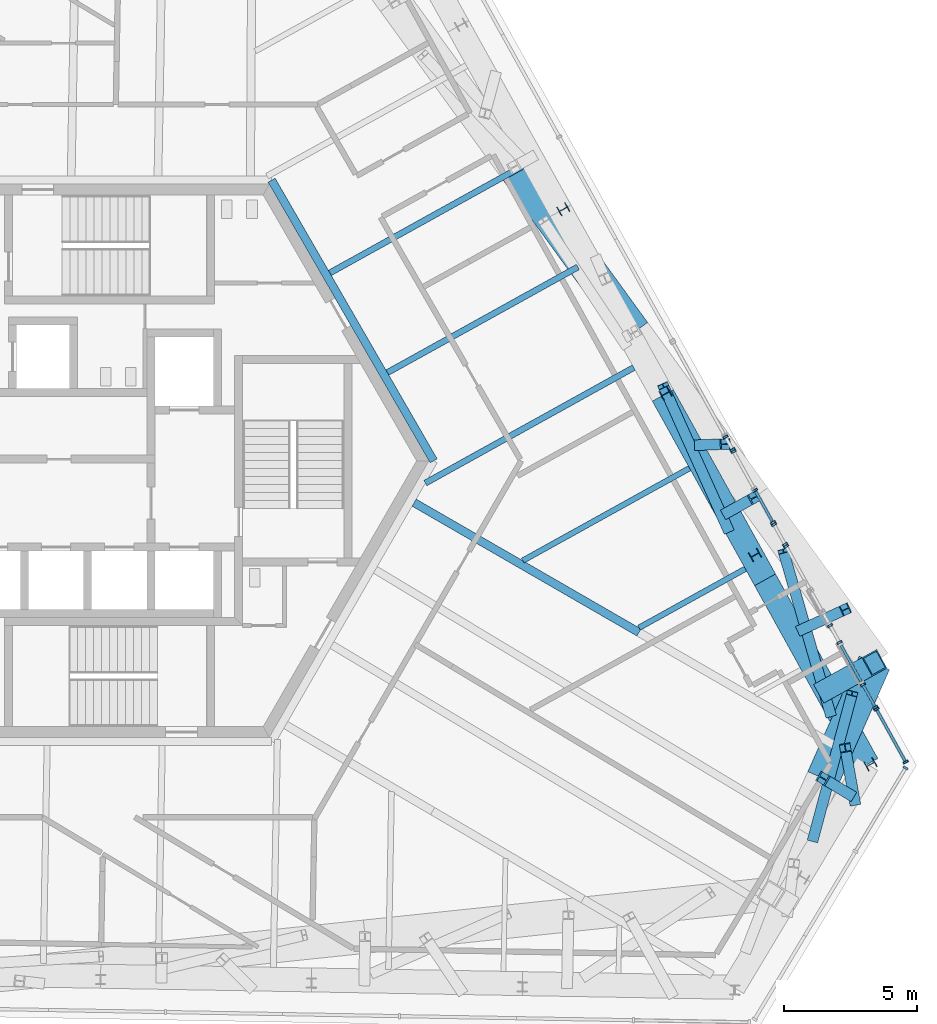
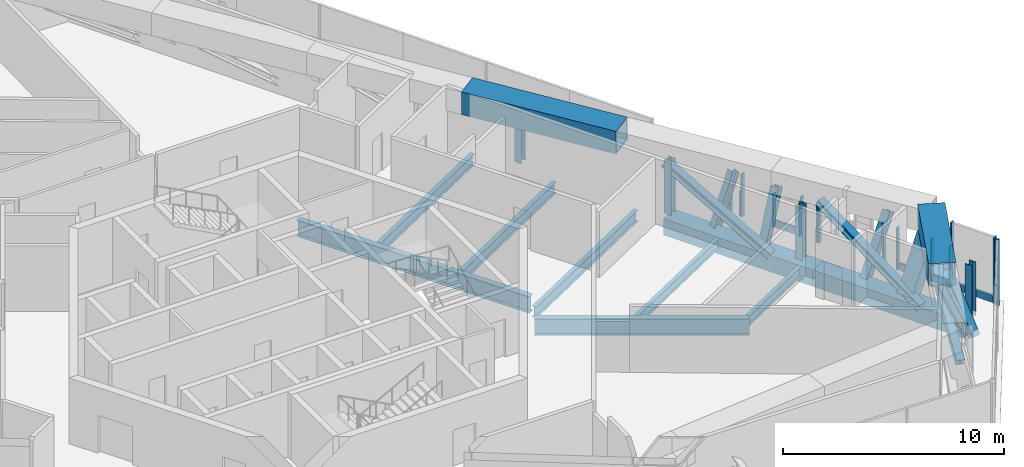
# One storey, part 5 of 28: 36 members, 7 beams, 10 elements without a shape of their own.
"""IFC4 building model written with IfcOpenShell, lengths in metres."""

from ifc_helpers import new_model, si_unit, direction, frame, origin, origin_2d, place, context, subcontext, project, spatial, rectangle, hollow_rectangle, i_section, extrude, source, transform, mapped, material, material_profile, profile_set, type_object, element, aggregate, save


model = new_model("IFC4")

# Units and contexts
model_context = context("Model", 3, precision=1e-05, world=origin(), true_north=direction((0.0, 1.0)))
body_context = subcontext(model_context, "Body", "Model", "MODEL_VIEW")
ifc_project = project(units=[si_unit("LENGTHUNIT", "METRE"), si_unit("AREAUNIT", "SQUARE_METRE"), si_unit("VOLUMEUNIT", "CUBIC_METRE"), si_unit("PLANEANGLEUNIT", "RADIAN"), si_unit("MASSUNIT", "GRAM", prefix="KILO")], contexts=[model_context])

# Site, building, storey
site_placement = place(None, origin())
site = spatial("IfcSite", under=ifc_project, at=site_placement, CompositionType="ELEMENT")
building_placement = place(site_placement, origin())
building = spatial("IfcBuilding", under=site, at=building_placement, Name="Triune Harvest Tower", CompositionType="ELEMENT")
storey_placement = place(building_placement, frame((0.0, 0.0, 215.89990234375)))
storey = spatial("IfcBuildingStorey", under=building, at=storey_placement, Name="L56", CompositionType="ELEMENT", Elevation=215.89990234375)

# Member
ifc_material_1 = material(Name="Steel ASTM A572 Gr 50", Category="steel")
ifc_material_profile_1 = material_profile(ifc_material_1, hollow_rectangle(XDim=0.89990234375, YDim=0.89990234375, WallThickness=0.050048828125, at=origin_2d()), Name="Box 900x900x50")
ifc_profile_set_1 = profile_set([ifc_material_profile_1], Name="Steel ASTM A572 Gr 50")
member_type_1 = type_object("IfcMemberType", Name="TC-2 Belt truss chord Box 900x900x50", PredefinedType="CHORD", material=ifc_profile_set_1)
member_1_placement = place(storey_placement, frame((24.632080078125, -4.473388671875, -0.699951171875), z_axis=(-0.484826855234, 0.874610153408, 0.0), x_axis=(-0.874610153408, -0.484826855234, 0.0)))
element("IfcMember", 1, at=member_1_placement, inside=storey, type_object=member_type_1, Name="truss/L56/TCB2", PredefinedType="CHORD", context=body_context, shape_type="SweptSolid", body=[
    extrude(hollow_rectangle(XDim=0.89990234375, YDim=0.89990234375, WallThickness=0.050048828125, at=origin_2d()), origin(), (0.0, 0.0, 1.0), 7.927001953125),
])

# Curtain wall, member
ifc_material_2 = material(Name="Aluminium bronze anodised", Category="aluminium")
curtain_wall_type = type_object("IfcCurtainWallType", Name="CW-5 Plant louvre wall", PredefinedType="NOTDEFINED", material=ifc_material_2)
curtain_wall_1_placement = place(storey_placement, origin())
curtain_wall_1 = element("IfcCurtainWall", 2, at=curtain_wall_1_placement, inside=storey, type_object=curtain_wall_type, Name="CW-5 B5-F1 L56 run 1")
ifc_material_3 = material(Name="Aluminium bronze anodised", Category="aluminium")
ifc_material_profile_2 = material_profile(ifc_material_3, rectangle(XDim=0.10009765625, YDim=0.39990234375, at=origin_2d()), Name="TR-5 transom 100 x 400")
ifc_profile_set_2 = profile_set([ifc_material_profile_2], Name="Aluminium bronze anodised")
member_type_2 = type_object("IfcMemberType", Name="TR-5 transom 100 x 400", PredefinedType="USERDEFINED", material=ifc_profile_set_2)
member_2_placement = place(storey_placement, frame((29.896240234375, -11.284423828125, 0.2001953125), z_axis=(-0.484855982831, 0.874594006332, 0.0), x_axis=(-0.874594006332, -0.484855982831, 0.0)))
member_2 = element("IfcMember", 3, at=member_2_placement, type_object=member_type_2, Name="CW-5 transom B5-F1 1.1", ObjectType="TRANSOM", PredefinedType="USERDEFINED", context=body_context, shape_type="SweptSolid", body=[
    extrude(rectangle(XDim=0.10009765625, YDim=0.39990234375, at=origin_2d()), origin(), (0.0, 0.0, 1.0), 2.186767578125),
])

curtain_wall_2_placement = place(storey_placement, origin())
curtain_wall_2 = element("IfcCurtainWall", 4, at=curtain_wall_2_placement, inside=storey, type_object=curtain_wall_type, Name="CW-5 B5-F1 L56 run 101")
member_3_placement = place(storey_placement, frame((28.75830078125, -9.23193359375, 0.2001953125), z_axis=(-0.484582878849, 0.874745353532, 0.0), x_axis=(-0.874745353532, -0.484582878849, 0.0)))
member_3 = element("IfcMember", 5, at=member_3_placement, type_object=member_type_2, Name="CW-5 transom B5-F1 101.1", ObjectType="TRANSOM", PredefinedType="USERDEFINED", context=body_context, shape_type="SweptSolid", body=[
    extrude(rectangle(XDim=0.10009765625, YDim=0.39990234375, at=origin_2d()), origin(), (0.0, 0.0, 1.0), 0.89990234375),
])

curtain_wall_3_placement = place(storey_placement, origin())
curtain_wall_3 = element("IfcCurtainWall", 6, at=curtain_wall_3_placement, inside=storey, type_object=curtain_wall_type, Name="CW-5 B5-F1 L56 run 201")
member_4_placement = place(storey_placement, frame((28.24462890625, -8.304931640625, 0.2001953125), z_axis=(-0.484809663973, 0.874619682901, 0.0), x_axis=(-0.874619682901, -0.484809663973, 0.0)))
member_4 = element("IfcMember", 7, at=member_4_placement, type_object=member_type_2, Name="CW-5 transom B5-F1 201.1", ObjectType="TRANSOM", PredefinedType="USERDEFINED", context=body_context, shape_type="SweptSolid", body=[
    extrude(rectangle(XDim=0.10009765625, YDim=0.39990234375, at=origin_2d()), origin(), (0.0, 0.0, 1.0), 1.567626953125),
])
aggregate(curtain_wall_3, [member_4])

# Beams
ifc_material_4 = material(Name="Steel ASTM A992 Gr 50", Category="steel")
ifc_material_profile_3 = material_profile(ifc_material_4, i_section(OverallWidth=0.3046875, OverallDepth=0.914306640625, WebThickness=0.0166015625, FlangeThickness=0.02587890625, at=origin_2d()), Name="W36x160")
ifc_profile_set_3 = profile_set([ifc_material_profile_3], Name="Steel ASTM A992 Gr 50")
beam_type_1 = type_object("IfcBeamType", Name="CG-1 Core ring girder W36x160", PredefinedType="BEAM", material=ifc_profile_set_3)
shared_shape_1 = source(origin(), body_context, "Body", "SweptSolid", [
    extrude(i_section(OverallWidth=0.3046875, OverallDepth=0.914306640625, WebThickness=0.0166015625, FlangeThickness=0.02587890625, at=origin_2d()), origin(), (0.0, 0.0, 1.0), 12.176025390625),
])
beam_1_placement = place(storey_placement, frame((12.176025390625, 0.0, -0.70703125), z_axis=(-0.5000099932, 0.866019634131, 0.0), x_axis=(-0.866019634131, -0.5000099932, 0.0)))
element("IfcBeam", 8, at=beam_1_placement, inside=storey, type_object=beam_type_1, Name="beam/L56/CG1", PredefinedType="BEAM", context=body_context, shape_type="MappedRepresentation", body=[
    mapped(shared_shape_1, transform((0.0, 0.0, 0.0), scale=1.0)),
])
ifc_material_5 = material(Name="Steel ASTM A992 Gr 50", Category="steel")
ifc_material_profile_4 = material_profile(ifc_material_5, i_section(OverallWidth=0.307373046875, OverallDepth=0.922119140625, WebThickness=0.018310546875, FlangeThickness=0.030029296875, at=origin_2d()), Name="W36x182")
ifc_profile_set_4 = profile_set([ifc_material_profile_4], Name="Steel ASTM A992 Gr 50")
beam_type_2 = type_object("IfcBeamType", Name="HG-2 Hip girder W36x182", PredefinedType="BEAM", material=ifc_profile_set_4)
shared_shape_2 = source(origin(), body_context, "Body", "SweptSolid", [
    extrude(i_section(OverallWidth=0.307373046875, OverallDepth=0.922119140625, WebThickness=0.018310546875, FlangeThickness=0.030029296875, at=origin_2d()), origin(), (0.0, 0.0, 1.0), 9.7568359375),
])
beam_2_placement = place(storey_placement, frame((19.893310546875, -6.451904296875, -0.7109375), z_axis=(-0.866026409454, 0.499998258125, 0.0), x_axis=(-0.499998258125, -0.866026409454, 0.0)))
element("IfcBeam", 9, at=beam_2_placement, inside=storey, type_object=beam_type_2, Name="beam/L56/HG2", PredefinedType="BEAM", context=body_context, shape_type="MappedRepresentation", body=[
    mapped(shared_shape_2, transform((0.0, 0.0, 0.0), scale=1.0)),
])
ifc_material_6 = material(Name="Steel ASTM A992 Gr 50", Category="steel")
ifc_material_profile_5 = material_profile(ifc_material_6, i_section(OverallWidth=0.2099609375, OverallDepth=0.535888671875, WebThickness=0.010986328125, FlangeThickness=0.017333984375, at=origin_2d()), Name="W21x68")
ifc_profile_set_5 = profile_set([ifc_material_profile_5], Name="Steel ASTM A992 Gr 50")
beam_type_3 = type_object("IfcBeamType", Name="JT-2 Floor joist W21x68", PredefinedType="JOIST", material=ifc_profile_set_5)
shared_shape_3 = source(origin(), body_context, "Body", "SweptSolid", [
    extrude(i_section(OverallWidth=0.2099609375, OverallDepth=0.535888671875, WebThickness=0.010986328125, FlangeThickness=0.017333984375, at=origin_2d()), origin(), (0.0, 0.0, 1.0), 4.56689453125),
])
beam_3_placement = place(storey_placement, frame((23.88916015625, -4.061279296875, -0.517822265625), z_axis=(-0.874608283879, -0.484830227781, 0.0), x_axis=(0.484830227781, -0.874608283879, 0.0)))
element("IfcBeam", 10, at=beam_3_placement, inside=storey, type_object=beam_type_3, Name="beam/L56/JT2", PredefinedType="JOIST", context=body_context, shape_type="MappedRepresentation", body=[
    mapped(shared_shape_3, transform((0.0, 0.0, 0.0), scale=1.0)),
])
shared_shape_4 = source(origin(), body_context, "Body", "SweptSolid", [
    extrude(i_section(OverallWidth=0.2099609375, OverallDepth=0.535888671875, WebThickness=0.010986328125, FlangeThickness=0.017333984375, at=origin_2d()), origin(), (0.0, 0.0, 1.0), 7.1650390625),
])
beam_4_placement = place(storey_placement, frame((21.792724609375, -0.279541015625, -0.517822265625), z_axis=(-0.874619775519, -0.484809496886, 0.0), x_axis=(0.484809496886, -0.874619775519, 0.0)))
element("IfcBeam", 11, at=beam_4_placement, inside=storey, type_object=beam_type_3, Name="beam/L56/JT3", PredefinedType="JOIST", context=body_context, shape_type="MappedRepresentation", body=[
    mapped(shared_shape_4, transform((0.0, 0.0, 0.0), scale=1.0)),
])
ifc_material_7 = material(Name="Steel ASTM A992 Gr 50", Category="steel")
ifc_material_profile_6 = material_profile(ifc_material_7, i_section(OverallWidth=0.22900390625, OverallDepth=0.612060546875, WebThickness=0.011962890625, FlangeThickness=0.01953125, at=origin_2d()), Name="W24x84")
ifc_profile_set_6 = profile_set([ifc_material_profile_6], Name="Steel ASTM A992 Gr 50")
beam_type_4 = type_object("IfcBeamType", Name="JT-3 Floor joist W24x84", PredefinedType="JOIST", material=ifc_profile_set_6)
shared_shape_5 = source(origin(), body_context, "Body", "SweptSolid", [
    extrude(i_section(OverallWidth=0.22900390625, OverallDepth=0.612060546875, WebThickness=0.011962890625, FlangeThickness=0.01953125, at=origin_2d()), origin(), (0.0, 0.0, 1.0), 8.94970703125),
])
beam_5_placement = place(storey_placement, frame((19.696533203125, 3.502197265625, -0.555908203125), z_axis=(-0.874622677617, -0.484804261325, 0.0), x_axis=(0.484804261325, -0.874622677617, 0.0)))
element("IfcBeam", 12, at=beam_5_placement, inside=storey, type_object=beam_type_4, Name="beam/L56/JT4", PredefinedType="JOIST", context=body_context, shape_type="MappedRepresentation", body=[
    mapped(shared_shape_5, transform((0.0, 0.0, 0.0), scale=1.0)),
])
shared_shape_6 = source(origin(), body_context, "Body", "SweptSolid", [
    extrude(i_section(OverallWidth=0.22900390625, OverallDepth=0.612060546875, WebThickness=0.011962890625, FlangeThickness=0.01953125, at=origin_2d()), origin(), (0.0, 0.0, 1.0), 8.1884765625),
])
beam_6_placement = place(storey_placement, frame((17.600341796875, 7.283935546875, -0.555908203125), z_axis=(-0.8746280007, -0.484794657964, 0.0), x_axis=(0.484794657964, -0.8746280007, 0.0)))
element("IfcBeam", 13, at=beam_6_placement, inside=storey, type_object=beam_type_4, Name="beam/L56/JT5", PredefinedType="JOIST", context=body_context, shape_type="MappedRepresentation", body=[
    mapped(shared_shape_6, transform((0.0, 0.0, 0.0), scale=1.0)),
])
shared_shape_7 = source(origin(), body_context, "Body", "SweptSolid", [
    extrude(i_section(OverallWidth=0.22900390625, OverallDepth=0.612060546875, WebThickness=0.011962890625, FlangeThickness=0.01953125, at=origin_2d()), origin(), (0.0, 0.0, 1.0), 8.263916015625),
])
beam_7_placement = place(storey_placement, frame((15.50390625, 11.06591796875, -0.555908203125), z_axis=(-0.874611182113, -0.484824999482, 0.0), x_axis=(0.484824999482, -0.874611182113, 0.0)))
element("IfcBeam", 14, at=beam_7_placement, inside=storey, type_object=beam_type_4, Name="beam/L56/JT6", PredefinedType="JOIST", context=body_context, shape_type="MappedRepresentation", body=[
    mapped(shared_shape_7, transform((0.0, 0.0, 0.0), scale=1.0)),
])

# Members
ifc_material_8 = material(Name="Steel ASTM A992 Gr 50", Category="steel")
ifc_material_profile_7 = material_profile(ifc_material_8, i_section(OverallWidth=0.370849609375, OverallDepth=0.36328125, WebThickness=0.013427734375, FlangeThickness=0.021728515625, at=origin_2d()), Name="W14x109")
ifc_profile_set_7 = profile_set([ifc_material_profile_7], Name="Steel ASTM A992 Gr 50")
member_type_3 = type_object("IfcMemberType", Name="WP-5 Roof edge post W14x109", PredefinedType="POST", material=ifc_profile_set_7)
shared_shape_8 = source(origin(), body_context, "Body", "SweptSolid", [
    extrude(i_section(OverallWidth=0.370849609375, OverallDepth=0.36328125, WebThickness=0.013427734375, FlangeThickness=0.021728515625, at=origin_2d()), origin(), (0.0, 0.0, 1.0), 2.9755859375),
])
for number, where, z_axis, x_axis, name in (
    (15, (28.59521484375, -11.408935546875, -0.25), (0.0, 0.0, 1.0), (-0.484809620246, 0.874619707139, 0.0), "post/L56/W0"),
    (16, (24.252197265625, -3.540771484375, -0.25), (0.0, 0.0, 1.0), (-0.484809620246, 0.874619707139, 0.0), "post/L56/W1"),
    (17, (20.893798828125, 2.51806640625, -0.25), (0.0, 0.0, 1.0), (-0.484809620246, 0.874619707139, 0.0), "post/L56/W2"),
    (18, (17.05078125, 9.451416015625, -0.25), (0.0, 0.0, 1.0), (-0.484809620246, 0.874619707139, 0.0), "post/L56/W3"),
):
    element("IfcMember", number, at=place(storey_placement, frame(where, z_axis=z_axis, x_axis=x_axis)), inside=storey, type_object=member_type_3, Name=name, PredefinedType="POST", context=body_context, shape_type="MappedRepresentation", body=[
        mapped(shared_shape_8, transform((0.0, 0.0, 0.0), scale=1.0)),
    ])
shared_shape_9 = source(origin(), body_context, "Body", "SweptSolid", [
    extrude(hollow_rectangle(XDim=0.89990234375, YDim=0.89990234375, WallThickness=0.050048828125, at=origin_2d()), origin(), (0.0, 0.0, 1.0), 7.92724609375),
])
member_5_placement = place(storey_placement, frame((28.475341796875, -11.40673828125, -0.699951171875), z_axis=(-0.48481379599, 0.874617392474, 0.0), x_axis=(-0.874617392474, -0.48481379599, 0.0)))
element("IfcMember", 19, at=member_5_placement, inside=storey, type_object=member_type_1, Name="truss/L56/TCB1", PredefinedType="CHORD", context=body_context, shape_type="MappedRepresentation", body=[
    mapped(shared_shape_9, transform((0.0, 0.0, 0.0), scale=1.0)),
])
ifc_material_9 = material(Name="Steel ASTM A572 Gr 50", Category="steel")
ifc_material_profile_8 = material_profile(ifc_material_9, hollow_rectangle(XDim=1.25, YDim=1.25, WallThickness=0.070068359375, at=origin_2d()), Name="Box 1250x1250x70")
ifc_profile_set_8 = profile_set([ifc_material_profile_8], Name="Steel ASTM A572 Gr 50")
member_type_4 = type_object("IfcMemberType", Name="TC-1 Belt truss chord Box 1250x1250x70", PredefinedType="CHORD", material=ifc_profile_set_8)
shared_shape_10 = source(origin(), body_context, "Body", "SweptSolid", [
    extrude(hollow_rectangle(XDim=1.25, YDim=1.25, WallThickness=0.070068359375, at=origin_2d()), origin(), (0.0, 0.0, 1.0), 7.679443359375),
])
member_6_placement = place(storey_placement, frame((19.713623046875, 4.83056640625, 3.01513671875), z_axis=(-0.587799241229, 0.809006830633, 0.0), x_axis=(-0.809006830633, -0.587799241229, 0.0)))
element("IfcMember", 20, at=member_6_placement, inside=storey, type_object=member_type_4, Name="truss/L56/TCT3", PredefinedType="CHORD", context=body_context, shape_type="MappedRepresentation", body=[
    mapped(shared_shape_10, transform((0.0, 0.0, 0.0), scale=1.0)),
])
shared_shape_11 = source(origin(), body_context, "Body", "SweptSolid", [
    extrude(hollow_rectangle(XDim=1.25, YDim=1.25, WallThickness=0.070068359375, at=origin_2d()), origin(), (0.0, 0.0, 1.0), 4.751708984375),
])
member_7_placement = place(storey_placement, frame((26.80859375, -11.93603515625, 3.01513671875), z_axis=(0.406772403324, 0.913529535316, 0.0), x_axis=(-0.913529535316, 0.406772403324, 0.0)))
element("IfcMember", 21, at=member_7_placement, inside=storey, type_object=member_type_4, Name="truss/L56/TCT24", PredefinedType="CHORD", context=body_context, shape_type="MappedRepresentation", body=[
    mapped(shared_shape_11, transform((0.0, 0.0, 0.0), scale=1.0)),
])
ifc_material_10 = material(Name="Steel ASTM A572 Gr 50", Category="steel")
ifc_material_profile_9 = material_profile(ifc_material_10, hollow_rectangle(XDim=0.800048828125, YDim=0.800048828125, WallThickness=0.050048828125, at=origin_2d()), Name="Box 800x800x50")
ifc_profile_set_9 = profile_set([ifc_material_profile_9], Name="Steel ASTM A572 Gr 50")
member_type_5 = type_object("IfcMemberType", Name="TS-2 Belt truss raked strut Box 800x800x50", PredefinedType="STRUT", material=ifc_profile_set_9)
shared_shape_12 = source(origin(), body_context, "Body", "SweptSolid", [
    extrude(hollow_rectangle(XDim=0.800048828125, YDim=0.800048828125, WallThickness=0.050048828125, at=origin_2d()), origin(), (0.0, 0.0, 1.0), 3.40869140625),
])
member_8_placement = place(storey_placement, frame((26.921630859375, -8.603759765625, -0.27490234375), z_axis=(0.533889562583, 0.295881108536, 0.792096146043), x_axis=(-0.484736044013, 0.874660487066, 0.0)))
element("IfcMember", 22, at=member_8_placement, inside=storey, type_object=member_type_5, Name="truss/L56/TS1", PredefinedType="STRUT", context=body_context, shape_type="MappedRepresentation", body=[
    mapped(shared_shape_12, transform((0.0, 0.0, 0.0), scale=1.0)),
])
ifc_material_11 = material(Name="Steel ASTM A992 Gr 50", Category="steel")
ifc_material_profile_10 = material_profile(ifc_material_11, i_section(OverallWidth=0.411376953125, OverallDepth=0.434326171875, WebThickness=0.035888671875, FlangeThickness=0.057373046875, at=origin_2d()), Name="W14x311")
ifc_profile_set_10 = profile_set([ifc_material_profile_10], Name="Steel ASTM A992 Gr 50")
member_type_6 = type_object("IfcMemberType", Name="TV-1 Belt truss strut W14x311", PredefinedType="STRUT", material=ifc_profile_set_10)
shared_shape_13 = source(origin(), body_context, "Body", "SweptSolid", [
    extrude(i_section(OverallWidth=0.411376953125, OverallDepth=0.434326171875, WebThickness=0.035888671875, FlangeThickness=0.057373046875, at=origin_2d()), origin(), (0.0, 0.0, 1.0), 2.9326171875),
])
member_9_placement = place(storey_placement, frame((23.226318359375, -1.937255859375, -0.27490234375), z_axis=(0.341410878324, 0.189228706762, 0.920668837693), x_axis=(-0.484773495918, 0.874639730206, 0.0)))
element("IfcMember", 23, at=member_9_placement, inside=storey, type_object=member_type_6, Name="truss/L56/TS2", PredefinedType="STRUT", context=body_context, shape_type="MappedRepresentation", body=[
    mapped(shared_shape_13, transform((0.0, 0.0, 0.0), scale=1.0)),
])
shared_shape_14 = source(origin(), body_context, "Body", "SweptSolid", [
    extrude(i_section(OverallWidth=0.411376953125, OverallDepth=0.434326171875, WebThickness=0.035888671875, FlangeThickness=0.057373046875, at=origin_2d()), origin(), (0.0, 0.0, 1.0), 2.93701171875),
])
member_10_placement = place(storey_placement, frame((27.799560546875, -12.531494140625, -0.27490234375), z_axis=(-0.337400908317, 0.202739791915, 0.919269929804), x_axis=(-0.515054637465, -0.857157348697, 0.0)))
element("IfcMember", 24, at=member_10_placement, inside=storey, type_object=member_type_6, Name="truss/L56/TS24", PredefinedType="STRUT", context=body_context, shape_type="MappedRepresentation", body=[
    mapped(shared_shape_14, transform((0.0, 0.0, 0.0), scale=1.0)),
])
ifc_material_12 = material(Name="Steel ASTM A992 Gr 50", Category="steel")
ifc_material_profile_11 = material_profile(ifc_material_12, i_section(OverallWidth=0.40380859375, OverallDepth=0.406494140625, WebThickness=0.027099609375, FlangeThickness=0.043701171875, at=origin_2d()), Name="W14x233")
ifc_profile_set_11 = profile_set([ifc_material_profile_11], Name="Steel ASTM A992 Gr 50")
member_type_7 = type_object("IfcMemberType", Name="TD-3 Belt truss diagonal W14x233", PredefinedType="BRACE", material=ifc_profile_set_11)
shared_shape_15 = source(origin(), body_context, "Body", "SweptSolid", [
    extrude(i_section(OverallWidth=0.40380859375, OverallDepth=0.406494140625, WebThickness=0.027099609375, FlangeThickness=0.043701171875, at=origin_2d()), origin(), (0.0, 0.0, 1.0), 6.96337890625),
])
member_11_placement = place(storey_placement, frame((27.095947265625, -9.537353515625, -0.324951171875), z_axis=(-0.255135151837, 0.882577597526, 0.394921306898), x_axis=(-0.960665325494, -0.277708718612, 0.0)))
element("IfcMember", 25, at=member_11_placement, inside=storey, type_object=member_type_7, Name="truss/L56/TD1", PredefinedType="BRACE", context=body_context, shape_type="MappedRepresentation", body=[
    mapped(shared_shape_15, transform((0.0, 0.0, 0.0), scale=1.0)),
])
shared_shape_16 = source(origin(), body_context, "Body", "SweptSolid", [
    extrude(i_section(OverallWidth=0.40380859375, OverallDepth=0.406494140625, WebThickness=0.027099609375, FlangeThickness=0.043701171875, at=origin_2d()), origin(), (0.0, 0.0, 1.0), 3.289306640625),
])
member_12_placement = place(storey_placement, frame((26.011474609375, -6.343017578125, -0.324951171875), z_axis=(0.498029713492, 0.230236687221, 0.836036764943), x_axis=(-0.419624273004, 0.907697895506, 0.0)))
element("IfcMember", 26, at=member_12_placement, inside=storey, type_object=member_type_7, Name="truss/L56/TD2", PredefinedType="BRACE", context=body_context, shape_type="MappedRepresentation", body=[
    mapped(shared_shape_16, transform((0.0, 0.0, 0.0), scale=1.0)),
])
shared_shape_17 = source(origin(), body_context, "Body", "SweptSolid", [
    extrude(i_section(OverallWidth=0.40380859375, OverallDepth=0.406494140625, WebThickness=0.027099609375, FlangeThickness=0.043701171875, at=origin_2d()), origin(), (0.0, 0.0, 1.0), 6.556396484375),
])
member_13_placement = place(storey_placement, frame((23.252685546875, -2.60400390625, -0.324951171875), z_axis=(-0.373267827419, 0.827489790592, 0.419442219477), x_axis=(-0.911551185152, -0.411186620464, 0.0)))
element("IfcMember", 27, at=member_13_placement, inside=storey, type_object=member_type_7, Name="truss/L56/TD3", PredefinedType="BRACE", context=body_context, shape_type="MappedRepresentation", body=[
    mapped(shared_shape_17, transform((0.0, 0.0, 0.0), scale=1.0)),
])
shared_shape_18 = source(origin(), body_context, "Body", "SweptSolid", [
    extrude(i_section(OverallWidth=0.40380859375, OverallDepth=0.406494140625, WebThickness=0.027099609375, FlangeThickness=0.043701171875, at=origin_2d()), origin(), (0.0, 0.0, 1.0), 2.91552734375),
])
member_14_placement = place(storey_placement, frame((22.168212890625, 0.59033203125, -0.324951171875), z_axis=(0.331860708098, 0.012560965484, 0.94324476811), x_axis=(-0.037823030023, 0.999284453196, 0.0)))
element("IfcMember", 28, at=member_14_placement, inside=storey, type_object=member_type_7, Name="truss/L56/TD4", PredefinedType="BRACE", context=body_context, shape_type="MappedRepresentation", body=[
    mapped(shared_shape_18, transform((0.0, 0.0, 0.0), scale=1.0)),
])
shared_shape_19 = source(origin(), body_context, "Body", "SweptSolid", [
    extrude(i_section(OverallWidth=0.40380859375, OverallDepth=0.406494140625, WebThickness=0.027099609375, FlangeThickness=0.043701171875, at=origin_2d()), origin(), (0.0, 0.0, 1.0), 6.302734375),
])
member_15_placement = place(storey_placement, frame((26.434814453125, -14.220458984375, -0.324951171875), z_axis=(0.233147483784, 0.869064121311, 0.436313882263), x_axis=(-0.96584730444, 0.259111915022, 0.0)))
element("IfcMember", 29, at=member_15_placement, inside=storey, type_object=member_type_7, Name="truss/L56/TD47", PredefinedType="BRACE", context=body_context, shape_type="MappedRepresentation", body=[
    mapped(shared_shape_19, transform((0.0, 0.0, 0.0), scale=1.0)),
])
shared_shape_20 = source(origin(), body_context, "Body", "SweptSolid", [
    extrude(i_section(OverallWidth=0.40380859375, OverallDepth=0.406494140625, WebThickness=0.027099609375, FlangeThickness=0.043701171875, at=origin_2d()), origin(), (0.0, 0.0, 1.0), 3.415771484375),
])
member_16_placement = place(storey_placement, frame((27.998291015625, -12.783203125, -0.324951171875), z_axis=(-0.103210172127, 0.584095240042, 0.805096522741), x_axis=(-0.984744714719, -0.174005306908, 0.0)))
element("IfcMember", 30, at=member_16_placement, inside=storey, type_object=member_type_7, Name="truss/L56/TD48", PredefinedType="BRACE", context=body_context, shape_type="MappedRepresentation", body=[
    mapped(shared_shape_20, transform((0.0, 0.0, 0.0), scale=1.0)),
])

# Member
ifc_material_13 = material(Name="Aluminium bronze anodised", Category="aluminium")
ifc_material_profile_12 = material_profile(ifc_material_13, rectangle(XDim=0.199951171875, YDim=0.080078125, at=origin_2d()), Name="MU-5 mullion 80 x 200")
ifc_profile_set_12 = profile_set([ifc_material_profile_12], Name="Aluminium bronze anodised")
member_type_8 = type_object("IfcMemberType", Name="MU-5 mullion 80 x 200", PredefinedType="MULLION", material=ifc_profile_set_12)
shared_shape_21 = source(origin(), body_context, "Body", "SweptSolid", [
    extrude(rectangle(XDim=0.199951171875, YDim=0.080078125, at=origin_2d()), origin(), (0.0, 0.0, 1.0), 3.64013671875),
])
member_17_placement = place(storey_placement, frame((29.91552734375, -11.3193359375, 0.0), z_axis=(0.0, 0.0, 1.0), x_axis=(-0.874615146635, -0.484817847522, 0.0)))
member_17 = element("IfcMember", 31, at=member_17_placement, type_object=member_type_8, Name="CW-5 mullion B5-F1 1.1", PredefinedType="MULLION", context=body_context, shape_type="MappedRepresentation", body=[
    mapped(shared_shape_21, transform((0.0, 0.0, 0.0), scale=1.0)),
])

member_18_placement = place(storey_placement, frame((28.816650390625, -9.336669921875, 0.0), z_axis=(0.0, 0.0, 1.0), x_axis=(-0.874615146635, -0.484817847522, 0.0)))
member_18 = element("IfcMember", 32, at=member_18_placement, type_object=member_type_8, Name="CW-5 mullion B5-F1 1.2", PredefinedType="MULLION", context=body_context, shape_type="MappedRepresentation", body=[
    mapped(shared_shape_21, transform((0.0, 0.0, 0.0), scale=1.0)),
])

aggregate(curtain_wall_1, [member_17, member_18, member_2])

# Curtain wall, member
curtain_wall_4_placement = place(storey_placement, origin())
curtain_wall_4 = element("IfcCurtainWall", 33, at=curtain_wall_4_placement, inside=storey, type_object=curtain_wall_type, Name="CW-5 B5-F6 L56 run 1")
member_19_placement = place(storey_placement, frame((29.91162109375, -11.54443359375, 0.0), z_axis=(0.0, 0.0, 1.0), x_axis=(-0.857168135313, 0.515036685882, 0.0)))
member_19 = element("IfcMember", 34, at=member_19_placement, type_object=member_type_8, Name="CW-5 mullion B5-F6 1.4", PredefinedType="MULLION", context=body_context, shape_type="MappedRepresentation", body=[
    mapped(shared_shape_21, transform((0.0, 0.0, 0.0), scale=1.0)),
])
aggregate(curtain_wall_4, [member_19])

# Member
shared_shape_22 = source(origin(), body_context, "Body", "SweptSolid", [
    extrude(rectangle(XDim=0.199951171875, YDim=0.080078125, at=origin_2d()), origin(), (0.0, 0.0, 1.0), 2.330078125),
])
member_20_placement = place(storey_placement, frame((28.77783203125, -9.266845703125, 0.0), z_axis=(0.0, 0.0, 1.0), x_axis=(-0.874615329864, -0.484817516976, 0.0)))
member_20 = element("IfcMember", 35, at=member_20_placement, type_object=member_type_8, Name="CW-5 mullion B5-F1 101.1", PredefinedType="MULLION", context=body_context, shape_type="MappedRepresentation", body=[
    mapped(shared_shape_22, transform((0.0, 0.0, 0.0), scale=1.0)),
])

member_21_placement = place(storey_placement, frame((28.302734375, -8.409912109375, 0.0), z_axis=(0.0, 0.0, 1.0), x_axis=(-0.874615329864, -0.484817516976, 0.0)))
member_21 = element("IfcMember", 36, at=member_21_placement, type_object=member_type_8, Name="CW-5 mullion B5-F1 101.2", PredefinedType="MULLION", context=body_context, shape_type="MappedRepresentation", body=[
    mapped(shared_shape_22, transform((0.0, 0.0, 0.0), scale=1.0)),
])

aggregate(curtain_wall_2, [member_20, member_21, member_3])

# Curtain wall, members
curtain_wall_5_placement = place(storey_placement, origin())
curtain_wall_5 = element("IfcCurtainWall", 37, at=curtain_wall_5_placement, inside=storey, type_object=curtain_wall_type, Name="CW-5 B5-F1 L56 run 301")
member_22_placement = place(storey_placement, frame((27.426513671875, -6.828857421875, 0.0), z_axis=(0.0, 0.0, 1.0), x_axis=(-0.874571652302, -0.484896303337, 0.0)))
member_22 = element("IfcMember", 38, at=member_22_placement, type_object=member_type_8, Name="CW-5 mullion B5-F1 301.1", PredefinedType="MULLION", context=body_context, shape_type="MappedRepresentation", body=[
    mapped(shared_shape_22, transform((0.0, 0.0, 0.0), scale=1.0)),
])
member_23_placement = place(storey_placement, frame((27.07373046875, -6.192626953125, 0.0), z_axis=(0.0, 0.0, 1.0), x_axis=(-0.874571652302, -0.484896303337, 0.0)))
member_23 = element("IfcMember", 39, at=member_23_placement, type_object=member_type_8, Name="CW-5 mullion B5-F1 301.2", PredefinedType="MULLION", context=body_context, shape_type="MappedRepresentation", body=[
    mapped(shared_shape_22, transform((0.0, 0.0, 0.0), scale=1.0)),
])
aggregate(curtain_wall_5, [member_22, member_23])

# Curtain wall, member
curtain_wall_6_placement = place(storey_placement, origin())
curtain_wall_6 = element("IfcCurtainWall", 40, at=curtain_wall_6_placement, inside=storey, type_object=curtain_wall_type, Name="CW-5 B5-F1 L56 run 1001")
member_24_placement = place(storey_placement, frame((23.447998046875, 0.3486328125, 0.0), z_axis=(0.0, 0.0, 1.0), x_axis=(-0.874629670755, -0.484791644973, 0.0)))
member_24 = element("IfcMember", 41, at=member_24_placement, type_object=member_type_8, Name="CW-5 mullion B5-F1 1001.2", PredefinedType="MULLION", context=body_context, shape_type="MappedRepresentation", body=[
    mapped(shared_shape_22, transform((0.0, 0.0, 0.0), scale=1.0)),
])
aggregate(curtain_wall_6, [member_24])

curtain_wall_7_placement = place(storey_placement, origin())
curtain_wall_7 = element("IfcCurtainWall", 42, at=curtain_wall_7_placement, inside=storey, type_object=curtain_wall_type, Name="CW-5 B5-F1 L56 run 701")
shared_shape_23 = source(origin(), body_context, "Body", "SweptSolid", [
    extrude(rectangle(XDim=0.199951171875, YDim=0.080078125, at=origin_2d()), origin(), (0.0, 0.0, 1.0), 1.793701171875),
])
member_25_placement = place(storey_placement, frame((25.422607421875, -3.213623046875, 0.0), z_axis=(0.0, 0.0, 1.0), x_axis=(-0.874629494008, -0.484791963847, 0.0)))
member_25 = element("IfcMember", 43, at=member_25_placement, type_object=member_type_8, Name="CW-5 mullion B5-F1 701.2", PredefinedType="MULLION", context=body_context, shape_type="MappedRepresentation", body=[
    mapped(shared_shape_23, transform((0.0, 0.0, 0.0), scale=1.0)),
])
aggregate(curtain_wall_7, [member_25])

# Curtain wall, members
curtain_wall_8_placement = place(storey_placement, origin())
curtain_wall_8 = element("IfcCurtainWall", 44, at=curtain_wall_8_placement, inside=storey, type_object=curtain_wall_type, Name="CW-5 B5-F1 L56 run 801")
shared_shape_24 = source(origin(), body_context, "Body", "SweptSolid", [
    extrude(rectangle(XDim=0.199951171875, YDim=0.080078125, at=origin_2d()), origin(), (0.0, 0.0, 1.0), 2.20703125),
])
member_26_placement = place(storey_placement, frame((25.3837890625, -3.1435546875, 0.0), z_axis=(0.0, 0.0, 1.0), x_axis=(-0.874614666351, -0.484818713958, 0.0)))
member_26 = element("IfcMember", 45, at=member_26_placement, type_object=member_type_8, Name="CW-5 mullion B5-F1 801.1", PredefinedType="MULLION", context=body_context, shape_type="MappedRepresentation", body=[
    mapped(shared_shape_24, transform((0.0, 0.0, 0.0), scale=1.0)),
])
member_27_placement = place(storey_placement, frame((24.9677734375, -2.3935546875, 0.0), z_axis=(0.0, 0.0, 1.0), x_axis=(-0.874614666351, -0.484818713958, 0.0)))
member_27 = element("IfcMember", 46, at=member_27_placement, type_object=member_type_8, Name="CW-5 mullion B5-F1 801.2", PredefinedType="MULLION", context=body_context, shape_type="MappedRepresentation", body=[
    mapped(shared_shape_24, transform((0.0, 0.0, 0.0), scale=1.0)),
])
aggregate(curtain_wall_8, [member_26, member_27])

curtain_wall_9_placement = place(storey_placement, origin())
curtain_wall_9 = element("IfcCurtainWall", 47, at=curtain_wall_9_placement, inside=storey, type_object=curtain_wall_type, Name="CW-5 B5-F1 L56 run 901")
shared_shape_25 = source(origin(), body_context, "Body", "SweptSolid", [
    extrude(rectangle(XDim=0.199951171875, YDim=0.080078125, at=origin_2d()), origin(), (0.0, 0.0, 1.0), 1.85009765625),
])
member_28_placement = place(storey_placement, frame((24.92919921875, -2.323486328125, 0.0), z_axis=(0.0, 0.0, 1.0), x_axis=(-0.874599993544, -0.484845182808, 0.0)))
member_28 = element("IfcMember", 48, at=member_28_placement, type_object=member_type_8, Name="CW-5 mullion B5-F1 901.1", PredefinedType="MULLION", context=body_context, shape_type="MappedRepresentation", body=[
    mapped(shared_shape_25, transform((0.0, 0.0, 0.0), scale=1.0)),
])
member_29_placement = place(storey_placement, frame((24.255615234375, -1.108642578125, 0.0), z_axis=(0.0, 0.0, 1.0), x_axis=(-0.874599993544, -0.484845182808, 0.0)))
member_29 = element("IfcMember", 49, at=member_29_placement, type_object=member_type_8, Name="CW-5 mullion B5-F1 901.2", PredefinedType="MULLION", context=body_context, shape_type="MappedRepresentation", body=[
    mapped(shared_shape_25, transform((0.0, 0.0, 0.0), scale=1.0)),
])
shared_shape_26 = source(origin(), body_context, "Body", "SweptSolid", [
    extrude(rectangle(XDim=0.10009765625, YDim=0.39990234375, at=origin_2d()), origin(), (0.0, 0.0, 1.0), 1.30908203125),
])
member_30_placement = place(storey_placement, frame((24.90966796875, -2.28857421875, 0.2001953125), z_axis=(-0.484851066639, 0.874596731745, 0.0), x_axis=(-0.874596731745, -0.484851066639, 0.0)))
member_30 = element("IfcMember", 50, at=member_30_placement, type_object=member_type_2, Name="CW-5 transom B5-F1 901.1", ObjectType="TRANSOM", PredefinedType="USERDEFINED", context=body_context, shape_type="MappedRepresentation", body=[
    mapped(shared_shape_26, transform((0.0, 0.0, 0.0), scale=1.0)),
])
aggregate(curtain_wall_9, [member_28, member_29, member_30])

curtain_wall_10_placement = place(storey_placement, origin())
curtain_wall_10 = element("IfcCurtainWall", 51, at=curtain_wall_10_placement, inside=storey, type_object=curtain_wall_type, Name="CW-5 B5-F1 L56 run 1101")
shared_shape_27 = source(origin(), body_context, "Body", "SweptSolid", [
    extrude(rectangle(XDim=0.199951171875, YDim=0.080078125, at=origin_2d()), origin(), (0.0, 0.0, 1.0), 1.377685546875),
])
member_31_placement = place(storey_placement, frame((23.4091796875, 0.418701171875, 0.0), z_axis=(0.0, 0.0, 1.0), x_axis=(-0.874644150575, -0.484765520499, 0.0)))
member_31 = element("IfcMember", 52, at=member_31_placement, type_object=member_type_8, Name="CW-5 mullion B5-F1 1101.1", PredefinedType="MULLION", context=body_context, shape_type="MappedRepresentation", body=[
    mapped(shared_shape_27, transform((0.0, 0.0, 0.0), scale=1.0)),
])
member_32_placement = place(storey_placement, frame((23.142822265625, 0.89892578125, 0.0), z_axis=(0.0, 0.0, 1.0), x_axis=(-0.874644150575, -0.484765520499, 0.0)))
member_32 = element("IfcMember", 53, at=member_32_placement, type_object=member_type_8, Name="CW-5 mullion B5-F1 1101.2", PredefinedType="MULLION", context=body_context, shape_type="MappedRepresentation", body=[
    mapped(shared_shape_27, transform((0.0, 0.0, 0.0), scale=1.0)),
])
aggregate(curtain_wall_10, [member_31, member_32])

save(model, "model.ifc")
